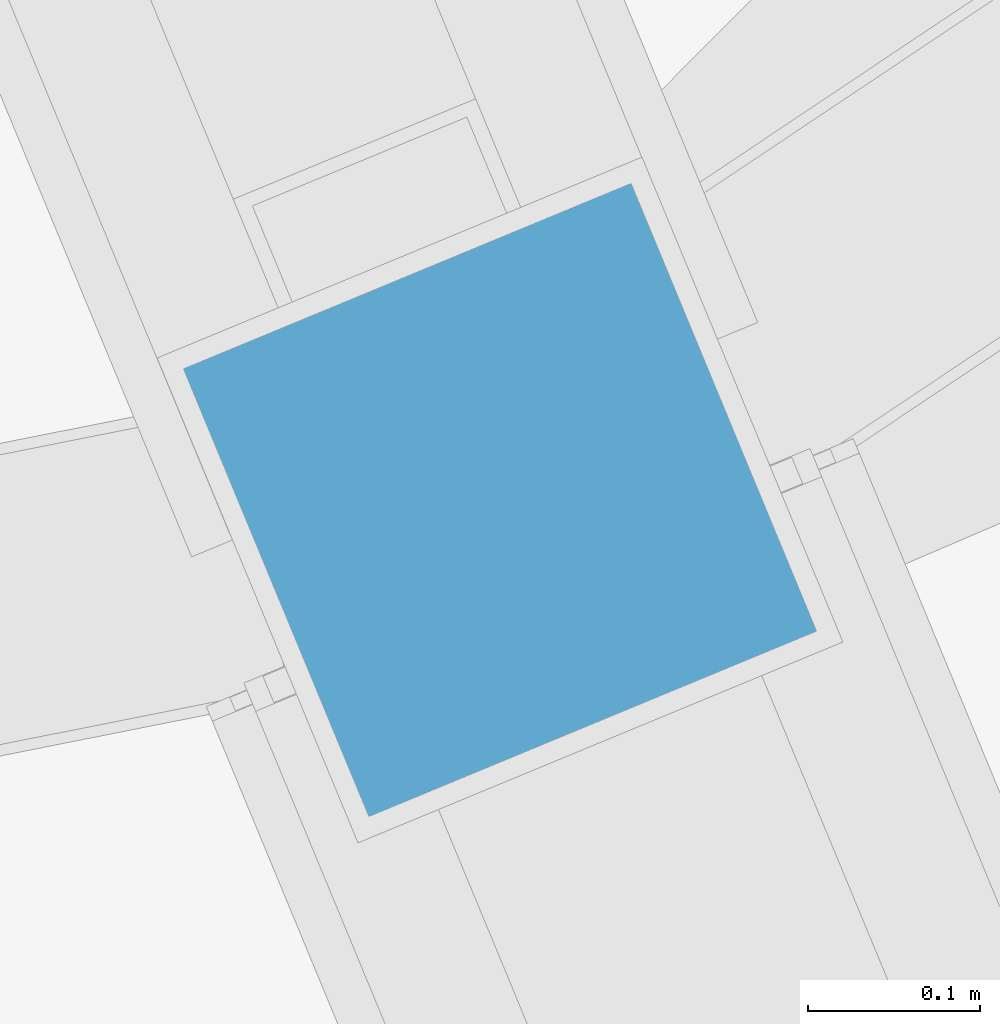
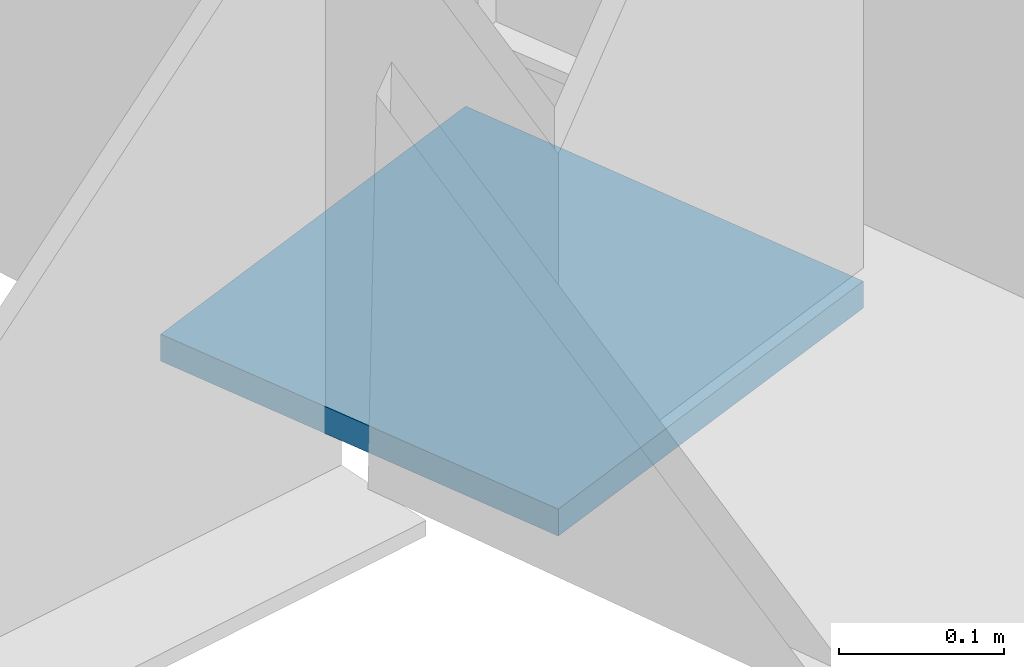
# One storey, part 176 of 278: 1 discrete accessory.
"""IFC4 building model written with IfcOpenShell, lengths in metres."""

from ifc_helpers import new_model, si_unit, direction, frame, origin, origin_2d, place, context, subcontext, project, spatial, rectangle, extrude, material, layer, layer_set, type_object, element, save


model = new_model("IFC4")

# Units and contexts
model_context = context("Model", 3, precision=1e-05, world=origin(), true_north=direction((0.0, 1.0)))
body_context = subcontext(model_context, "Body", "Model", "MODEL_VIEW")
ifc_project = project(units=[si_unit("LENGTHUNIT", "METRE"), si_unit("AREAUNIT", "SQUARE_METRE"), si_unit("VOLUMEUNIT", "CUBIC_METRE"), si_unit("PLANEANGLEUNIT", "RADIAN"), si_unit("MASSUNIT", "GRAM", prefix="KILO")], contexts=[model_context])

# Site, building, storey
site_placement = place(None, origin())
site = spatial("IfcSite", under=ifc_project, at=site_placement, CompositionType="ELEMENT")
building_placement = place(site_placement, origin())
building = spatial("IfcBuilding", under=site, at=building_placement, Name="Ogive Plaza Stadium", CompositionType="ELEMENT")
storey_placement = place(building_placement, frame((0.0, 0.0, 29.0)))
storey = spatial("IfcBuildingStorey", under=building, at=storey_placement, Name="Roof", CompositionType="ELEMENT", Elevation=29.0)

# Discrete accessory
ifc_material = material(Name="Steel ASTM A992 Grade 50", Category="steel")
ifc_layer = layer(ifc_material, 0.02001953125)
ifc_layer_set = layer_set([ifc_layer], Name="Steel ASTM A992 Grade 50")
discrete_accessory_type = type_object("IfcDiscreteAccessoryType", Name="Roof truss post cap plate 20", PredefinedType="ANCHORPLATE", material=ifc_layer_set)
discrete_accessory_placement = place(storey_placement, frame((48.216796875, -86.822021484375, 0.04541015625), z_axis=(0.0, 0.0, 1.0), x_axis=(0.382683432365, -0.923879532511, 0.0)))
element("IfcDiscreteAccessory", 1, at=discrete_accessory_placement, inside=storey, type_object=discrete_accessory_type, Name="ROOF TRUSS POST CAP PLATE 11 10", PredefinedType="ANCHORPLATE", context=body_context, shape_type="SweptSolid", body=[
    extrude(rectangle(XDim=0.3046875, YDim=0.3046875, at=origin_2d()), origin(), (0.0, 0.0, 1.0), 0.02001953125),
])

save(model, "model.ifc")
